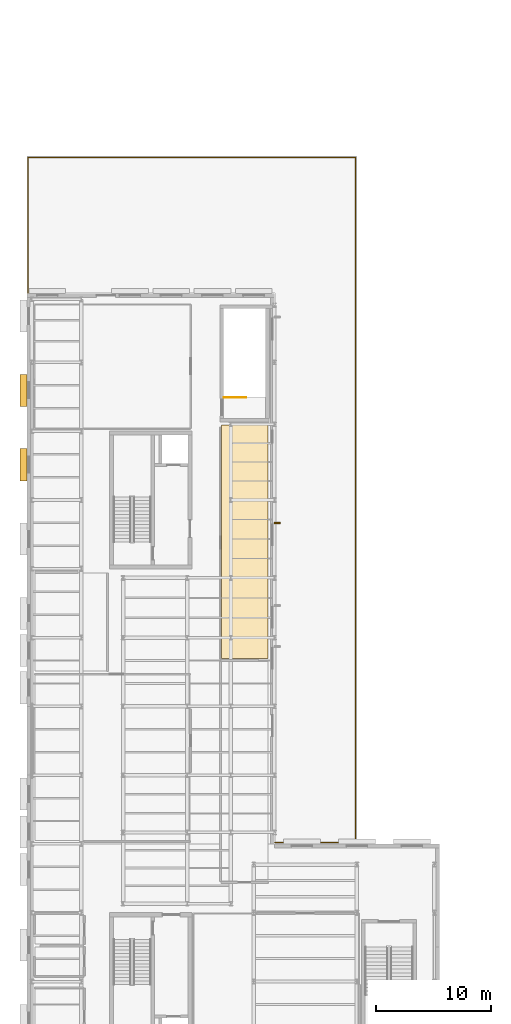
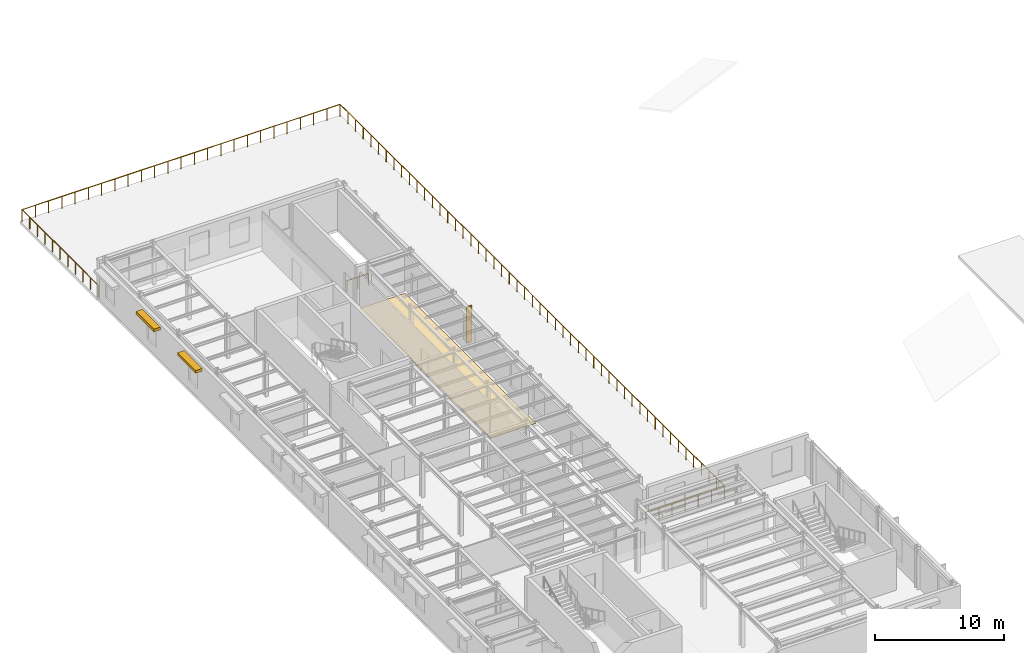
# One storey, part 11 of 13: 3 shading devices, 2 railings, 1 covering.
"""IFC4 building model written with IfcOpenShell, lengths in metres."""

from ifc_helpers import new_model, si_unit, direction, frame, origin, origin_2d, place, context, subcontext, project, spatial, polyline, rectangle, circle, outline, extrude, material, layer, layer_set, type_object, element, save


model = new_model("IFC4")

# Units and contexts
model_context = context("Model", 3, precision=1e-05, world=origin(), true_north=direction((0.0, 1.0)))
body_context = subcontext(model_context, "Body", "Model", "MODEL_VIEW")
ifc_project = project(units=[si_unit("LENGTHUNIT", "METRE"), si_unit("AREAUNIT", "SQUARE_METRE"), si_unit("VOLUMEUNIT", "CUBIC_METRE"), si_unit("PLANEANGLEUNIT", "RADIAN"), si_unit("MASSUNIT", "GRAM", prefix="KILO")], contexts=[model_context])

# Site, building, storey
site_placement = place(None, origin())
site = spatial("IfcSite", under=ifc_project, at=site_placement, CompositionType="ELEMENT")
building_placement = place(site_placement, origin())
building = spatial("IfcBuilding", under=site, at=building_placement, Name="Kolvaren Corner Interchange", CompositionType="ELEMENT")
storey_placement = place(building_placement, frame((0.0, 0.0, 14.699951171875)))
storey = spatial("IfcBuildingStorey", under=building, at=storey_placement, Name="L04", CompositionType="ELEMENT", Elevation=14.699951171875)

# Covering
ifc_material_1 = material(Name="Polished Niger Delta Granite Terrazzo Flooring", Category="masonry")
ifc_layer = layer(ifc_material_1, 0.030029296875)
ifc_layer_set = layer_set([ifc_layer], Name="Polished Niger Delta Granite Terrazzo Flooring")
covering_type = type_object("IfcCoveringType", Name="COV-FLR-TER30", PredefinedType="FLOORING", material=ifc_layer_set)
covering_placement = place(storey_placement, origin())
element("IfcCovering", 1, at=covering_placement, inside=storey, type_object=covering_type, Name="L04 Signalling Maintenance Workshop Lab Floor Finish", PredefinedType="FLOORING", context=body_context, shape_type="SweptSolid", body=[
    extrude(outline(polyline([(16.97998046875, 40.179931640625), (21.02001953125, 40.179931640625), (21.02001953125, 60.52001953125), (16.97998046875, 60.52001953125), (16.97998046875, 40.179931640625)])), origin(), (0.0, 0.0, 1.0), 0.030029296875),
])

# Railings
ifc_material_2 = material(Name="Powder-Coated Steel Stairwell Guardrail", Category="steel")
railing_type_1 = type_object("IfcRailingType", Name="RLT-STAIR-GRD1120", PredefinedType="GUARDRAIL", material=ifc_material_2)
railing_1_placement = place(storey_placement, frame((17.2099609375, 62.93994140625, 0.0)))
element("IfcRailing", 2, at=railing_1_placement, inside=storey, type_object=railing_type_1, Name="Operations North Wing Protected Exit Stair L04 Landing Edge Guardrail", PredefinedType="GUARDRAIL", context=body_context, shape_type="SweptSolid", body=[
    extrude(circle(Radius=0.02392578125, at=origin_2d()), frame((0.0, 0.0, 1.09619140625), z_axis=(1.0, 0.0, 0.0), x_axis=(0.0, 1.0, 0.0)), (0.0, 0.0, 1.0), 1.929931640625),
    extrude(circle(Radius=0.02001953125, at=origin_2d()), origin(), (0.0, 0.0, 1.0), 1.072021484375),
    extrude(circle(Radius=0.02001953125, at=origin_2d()), frame((0.96484375, 0.0, 0.0)), (0.0, 0.0, 1.0), 1.072021484375),
    extrude(circle(Radius=0.02001953125, at=origin_2d()), frame((1.929931640625, 0.0, 0.0)), (0.0, 0.0, 1.0), 1.072021484375),
])
ifc_material_3 = material(Name="Anodised Aluminium and Laminated Glass Balustrade", Category="aluminium")
railing_type_2 = type_object("IfcRailingType", Name="RLT-TERR-BAL1150", PredefinedType="BALUSTRADE", material=ifc_material_3)
railing_2_placement = place(storey_placement, frame((21.639892578125, 24.1201171875, 0.0)))
element("IfcRailing", 3, at=railing_2_placement, inside=storey, type_object=railing_type_2, Name="Level 04 Courtyard Roof Garden Perimeter Balustrade", PredefinedType="BALUSTRADE", context=body_context, shape_type="SweptSolid", body=[
    extrude(circle(Radius=0.02490234375, at=origin_2d()), frame((0.0, 0.0, 1.125), z_axis=(1.0, 0.0, 0.0), x_axis=(0.0, 1.0, 0.0)), (0.0, 0.0, 1.0), 7.0400390625),
    extrude(circle(Radius=0.02490234375, at=origin_2d()), frame((7.0400390625, 0.0, 1.125), z_axis=(0.0, 1.0, 0.0), x_axis=(-1.0, 0.0, 0.0)), (0.0, 0.0, 1.0), 59.759765625),
    extrude(circle(Radius=0.02490234375, at=origin_2d()), frame((7.0400390625, 59.759765625, 1.125), z_axis=(-1.0, 0.0, 0.0), x_axis=(0.0, -1.0, 0.0)), (0.0, 0.0, 1.0), 28.559814453125),
    extrude(circle(Radius=0.02490234375, at=origin_2d()), frame((-21.519775390625, 59.759765625, 1.125), z_axis=(0.0, -1.0, 0.0), x_axis=(1.0, 0.0, 0.0)), (0.0, 0.0, 1.0), 11.83984375),
    extrude(circle(Radius=0.02197265625, at=origin_2d()), origin(), (0.0, 0.0, 1.0), 1.099853515625),
    extrude(circle(Radius=0.02197265625, at=origin_2d()), frame((1.17333984375, 0.0, 0.0)), (0.0, 0.0, 1.0), 1.099853515625),
    extrude(circle(Radius=0.02197265625, at=origin_2d()), frame((2.3466796875, 0.0, 0.0)), (0.0, 0.0, 1.0), 1.099853515625),
    extrude(circle(Radius=0.02197265625, at=origin_2d()), frame((3.52001953125, 0.0, 0.0)), (0.0, 0.0, 1.0), 1.099853515625),
    extrude(circle(Radius=0.02197265625, at=origin_2d()), frame((4.693359375, 0.0, 0.0)), (0.0, 0.0, 1.0), 1.099853515625),
    extrude(circle(Radius=0.02197265625, at=origin_2d()), frame((5.86669921875, 0.0, 0.0)), (0.0, 0.0, 1.0), 1.099853515625),
    extrude(circle(Radius=0.02197265625, at=origin_2d()), frame((7.0400390625, 0.0, 0.0)), (0.0, 0.0, 1.0), 1.099853515625),
    extrude(circle(Radius=0.02197265625, at=origin_2d()), frame((7.0400390625, 1.1953125, 0.0)), (0.0, 0.0, 1.0), 1.099853515625),
    extrude(circle(Radius=0.02197265625, at=origin_2d()), frame((7.0400390625, 2.390380859375, 0.0)), (0.0, 0.0, 1.0), 1.099853515625),
    extrude(circle(Radius=0.02197265625, at=origin_2d()), frame((7.0400390625, 3.585693359375, 0.0)), (0.0, 0.0, 1.0), 1.099853515625),
    extrude(circle(Radius=0.02197265625, at=origin_2d()), frame((7.0400390625, 4.78076171875, 0.0)), (0.0, 0.0, 1.0), 1.099853515625),
    extrude(circle(Radius=0.02197265625, at=origin_2d()), frame((7.0400390625, 5.97607421875, 0.0)), (0.0, 0.0, 1.0), 1.099853515625),
    extrude(circle(Radius=0.02197265625, at=origin_2d()), frame((7.0400390625, 7.171142578125, 0.0)), (0.0, 0.0, 1.0), 1.099853515625),
    extrude(circle(Radius=0.02197265625, at=origin_2d()), frame((7.0400390625, 8.366455078125, 0.0)), (0.0, 0.0, 1.0), 1.099853515625),
    extrude(circle(Radius=0.02197265625, at=origin_2d()), frame((7.0400390625, 9.5615234375, 0.0)), (0.0, 0.0, 1.0), 1.099853515625),
    extrude(circle(Radius=0.02197265625, at=origin_2d()), frame((7.0400390625, 10.7568359375, 0.0)), (0.0, 0.0, 1.0), 1.099853515625),
    extrude(circle(Radius=0.02197265625, at=origin_2d()), frame((7.0400390625, 11.951904296875, 0.0)), (0.0, 0.0, 1.0), 1.099853515625),
    extrude(circle(Radius=0.02197265625, at=origin_2d()), frame((7.0400390625, 13.147216796875, 0.0)), (0.0, 0.0, 1.0), 1.099853515625),
    extrude(circle(Radius=0.02197265625, at=origin_2d()), frame((7.0400390625, 14.34228515625, 0.0)), (0.0, 0.0, 1.0), 1.099853515625),
    extrude(circle(Radius=0.02197265625, at=origin_2d()), frame((7.0400390625, 15.53759765625, 0.0)), (0.0, 0.0, 1.0), 1.099853515625),
    extrude(circle(Radius=0.02197265625, at=origin_2d()), frame((7.0400390625, 16.732666015625, 0.0)), (0.0, 0.0, 1.0), 1.099853515625),
    extrude(circle(Radius=0.02197265625, at=origin_2d()), frame((7.0400390625, 17.927978515625, 0.0)), (0.0, 0.0, 1.0), 1.099853515625),
    extrude(circle(Radius=0.02197265625, at=origin_2d()), frame((7.0400390625, 19.123046875, 0.0)), (0.0, 0.0, 1.0), 1.099853515625),
    extrude(circle(Radius=0.02197265625, at=origin_2d()), frame((7.0400390625, 20.318359375, 0.0)), (0.0, 0.0, 1.0), 1.099853515625),
    extrude(circle(Radius=0.02197265625, at=origin_2d()), frame((7.0400390625, 21.513427734375, 0.0)), (0.0, 0.0, 1.0), 1.099853515625),
    extrude(circle(Radius=0.02197265625, at=origin_2d()), frame((7.0400390625, 22.708740234375, 0.0)), (0.0, 0.0, 1.0), 1.099853515625),
    extrude(circle(Radius=0.02197265625, at=origin_2d()), frame((7.0400390625, 23.90380859375, 0.0)), (0.0, 0.0, 1.0), 1.099853515625),
    extrude(circle(Radius=0.02197265625, at=origin_2d()), frame((7.0400390625, 25.09912109375, 0.0)), (0.0, 0.0, 1.0), 1.099853515625),
    extrude(circle(Radius=0.02197265625, at=origin_2d()), frame((7.0400390625, 26.294189453125, 0.0)), (0.0, 0.0, 1.0), 1.099853515625),
    extrude(circle(Radius=0.02197265625, at=origin_2d()), frame((7.0400390625, 27.489501953125, 0.0)), (0.0, 0.0, 1.0), 1.099853515625),
    extrude(circle(Radius=0.02197265625, at=origin_2d()), frame((7.0400390625, 28.6845703125, 0.0)), (0.0, 0.0, 1.0), 1.099853515625),
    extrude(circle(Radius=0.02197265625, at=origin_2d()), frame((7.0400390625, 29.8798828125, 0.0)), (0.0, 0.0, 1.0), 1.099853515625),
    extrude(circle(Radius=0.02197265625, at=origin_2d()), frame((7.0400390625, 31.0751953125, 0.0)), (0.0, 0.0, 1.0), 1.099853515625),
    extrude(circle(Radius=0.02197265625, at=origin_2d()), frame((7.0400390625, 32.270263671875, 0.0)), (0.0, 0.0, 1.0), 1.099853515625),
    extrude(circle(Radius=0.02197265625, at=origin_2d()), frame((7.0400390625, 33.465576171875, 0.0)), (0.0, 0.0, 1.0), 1.099853515625),
    extrude(circle(Radius=0.02197265625, at=origin_2d()), frame((7.0400390625, 34.66064453125, 0.0)), (0.0, 0.0, 1.0), 1.099853515625),
    extrude(circle(Radius=0.02197265625, at=origin_2d()), frame((7.0400390625, 35.85595703125, 0.0)), (0.0, 0.0, 1.0), 1.099853515625),
    extrude(circle(Radius=0.02197265625, at=origin_2d()), frame((7.0400390625, 37.051025390625, 0.0)), (0.0, 0.0, 1.0), 1.099853515625),
    extrude(circle(Radius=0.02197265625, at=origin_2d()), frame((7.0400390625, 38.246337890625, 0.0)), (0.0, 0.0, 1.0), 1.099853515625),
    extrude(circle(Radius=0.02197265625, at=origin_2d()), frame((7.0400390625, 39.44140625, 0.0)), (0.0, 0.0, 1.0), 1.099853515625),
    extrude(circle(Radius=0.02197265625, at=origin_2d()), frame((7.0400390625, 40.63671875, 0.0)), (0.0, 0.0, 1.0), 1.099853515625),
    extrude(circle(Radius=0.02197265625, at=origin_2d()), frame((7.0400390625, 41.831787109375, 0.0)), (0.0, 0.0, 1.0), 1.099853515625),
    extrude(circle(Radius=0.02197265625, at=origin_2d()), frame((7.0400390625, 43.027099609375, 0.0)), (0.0, 0.0, 1.0), 1.099853515625),
    extrude(circle(Radius=0.02197265625, at=origin_2d()), frame((7.0400390625, 44.22216796875, 0.0)), (0.0, 0.0, 1.0), 1.099853515625),
    extrude(circle(Radius=0.02197265625, at=origin_2d()), frame((7.0400390625, 45.41748046875, 0.0)), (0.0, 0.0, 1.0), 1.099853515625),
    extrude(circle(Radius=0.02197265625, at=origin_2d()), frame((7.0400390625, 46.612548828125, 0.0)), (0.0, 0.0, 1.0), 1.099853515625),
    extrude(circle(Radius=0.02197265625, at=origin_2d()), frame((7.0400390625, 47.807861328125, 0.0)), (0.0, 0.0, 1.0), 1.099853515625),
    extrude(circle(Radius=0.02197265625, at=origin_2d()), frame((7.0400390625, 49.0029296875, 0.0)), (0.0, 0.0, 1.0), 1.099853515625),
    extrude(circle(Radius=0.02197265625, at=origin_2d()), frame((7.0400390625, 50.1982421875, 0.0)), (0.0, 0.0, 1.0), 1.099853515625),
    extrude(circle(Radius=0.02197265625, at=origin_2d()), frame((7.0400390625, 51.393310546875, 0.0)), (0.0, 0.0, 1.0), 1.099853515625),
    extrude(circle(Radius=0.02197265625, at=origin_2d()), frame((7.0400390625, 52.588623046875, 0.0)), (0.0, 0.0, 1.0), 1.099853515625),
    extrude(circle(Radius=0.02197265625, at=origin_2d()), frame((7.0400390625, 53.78369140625, 0.0)), (0.0, 0.0, 1.0), 1.099853515625),
    extrude(circle(Radius=0.02197265625, at=origin_2d()), frame((7.0400390625, 54.97900390625, 0.0)), (0.0, 0.0, 1.0), 1.099853515625),
    extrude(circle(Radius=0.02197265625, at=origin_2d()), frame((7.0400390625, 56.174072265625, 0.0)), (0.0, 0.0, 1.0), 1.099853515625),
    extrude(circle(Radius=0.02197265625, at=origin_2d()), frame((7.0400390625, 57.369384765625, 0.0)), (0.0, 0.0, 1.0), 1.099853515625),
    extrude(circle(Radius=0.02197265625, at=origin_2d()), frame((7.0400390625, 58.564453125, 0.0)), (0.0, 0.0, 1.0), 1.099853515625),
    extrude(circle(Radius=0.02197265625, at=origin_2d()), frame((7.0400390625, 59.759765625, 0.0)), (0.0, 0.0, 1.0), 1.099853515625),
    extrude(circle(Radius=0.02197265625, at=origin_2d()), frame((5.85009765625, 59.759765625, 0.0)), (0.0, 0.0, 1.0), 1.099853515625),
    extrude(circle(Radius=0.02197265625, at=origin_2d()), frame((4.66015625, 59.759765625, 0.0)), (0.0, 0.0, 1.0), 1.099853515625),
    extrude(circle(Radius=0.02197265625, at=origin_2d()), frame((3.469970703125, 59.759765625, 0.0)), (0.0, 0.0, 1.0), 1.099853515625),
    extrude(circle(Radius=0.02197265625, at=origin_2d()), frame((2.280029296875, 59.759765625, 0.0)), (0.0, 0.0, 1.0), 1.099853515625),
    extrude(circle(Radius=0.02197265625, at=origin_2d()), frame((1.090087890625, 59.759765625, 0.0)), (0.0, 0.0, 1.0), 1.099853515625),
    extrude(circle(Radius=0.02197265625, at=origin_2d()), frame((-0.099853515625, 59.759765625, 0.0)), (0.0, 0.0, 1.0), 1.099853515625),
    extrude(circle(Radius=0.02197265625, at=origin_2d()), frame((-1.289794921875, 59.759765625, 0.0)), (0.0, 0.0, 1.0), 1.099853515625),
    extrude(circle(Radius=0.02197265625, at=origin_2d()), frame((-2.47998046875, 59.759765625, 0.0)), (0.0, 0.0, 1.0), 1.099853515625),
    extrude(circle(Radius=0.02197265625, at=origin_2d()), frame((-3.669921875, 59.759765625, 0.0)), (0.0, 0.0, 1.0), 1.099853515625),
    extrude(circle(Radius=0.02197265625, at=origin_2d()), frame((-4.85986328125, 59.759765625, 0.0)), (0.0, 0.0, 1.0), 1.099853515625),
    extrude(circle(Radius=0.02197265625, at=origin_2d()), frame((-6.0498046875, 59.759765625, 0.0)), (0.0, 0.0, 1.0), 1.099853515625),
    extrude(circle(Radius=0.02197265625, at=origin_2d()), frame((-7.23974609375, 59.759765625, 0.0)), (0.0, 0.0, 1.0), 1.099853515625),
    extrude(circle(Radius=0.02197265625, at=origin_2d()), frame((-8.429931640625, 59.759765625, 0.0)), (0.0, 0.0, 1.0), 1.099853515625),
    extrude(circle(Radius=0.02197265625, at=origin_2d()), frame((-9.619873046875, 59.759765625, 0.0)), (0.0, 0.0, 1.0), 1.099853515625),
    extrude(circle(Radius=0.02197265625, at=origin_2d()), frame((-10.809814453125, 59.759765625, 0.0)), (0.0, 0.0, 1.0), 1.099853515625),
    extrude(circle(Radius=0.02197265625, at=origin_2d()), frame((-11.999755859375, 59.759765625, 0.0)), (0.0, 0.0, 1.0), 1.099853515625),
    extrude(circle(Radius=0.02197265625, at=origin_2d()), frame((-13.18994140625, 59.759765625, 0.0)), (0.0, 0.0, 1.0), 1.099853515625),
    extrude(circle(Radius=0.02197265625, at=origin_2d()), frame((-14.3798828125, 59.759765625, 0.0)), (0.0, 0.0, 1.0), 1.099853515625),
    extrude(circle(Radius=0.02197265625, at=origin_2d()), frame((-15.56982421875, 59.759765625, 0.0)), (0.0, 0.0, 1.0), 1.099853515625),
    extrude(circle(Radius=0.02197265625, at=origin_2d()), frame((-16.759765625, 59.759765625, 0.0)), (0.0, 0.0, 1.0), 1.099853515625),
    extrude(circle(Radius=0.02197265625, at=origin_2d()), frame((-17.94970703125, 59.759765625, 0.0)), (0.0, 0.0, 1.0), 1.099853515625),
    extrude(circle(Radius=0.02197265625, at=origin_2d()), frame((-19.139892578125, 59.759765625, 0.0)), (0.0, 0.0, 1.0), 1.099853515625),
    extrude(circle(Radius=0.02197265625, at=origin_2d()), frame((-20.329833984375, 59.759765625, 0.0)), (0.0, 0.0, 1.0), 1.099853515625),
    extrude(circle(Radius=0.02197265625, at=origin_2d()), frame((-21.519775390625, 59.759765625, 0.0)), (0.0, 0.0, 1.0), 1.099853515625),
    extrude(circle(Radius=0.02197265625, at=origin_2d()), frame((-21.519775390625, 58.57568359375, 0.0)), (0.0, 0.0, 1.0), 1.099853515625),
    extrude(circle(Radius=0.02197265625, at=origin_2d()), frame((-21.519775390625, 57.391845703125, 0.0)), (0.0, 0.0, 1.0), 1.099853515625),
    extrude(circle(Radius=0.02197265625, at=origin_2d()), frame((-21.519775390625, 56.207763671875, 0.0)), (0.0, 0.0, 1.0), 1.099853515625),
    extrude(circle(Radius=0.02197265625, at=origin_2d()), frame((-21.519775390625, 55.02392578125, 0.0)), (0.0, 0.0, 1.0), 1.099853515625),
    extrude(circle(Radius=0.02197265625, at=origin_2d()), frame((-21.519775390625, 53.83984375, 0.0)), (0.0, 0.0, 1.0), 1.099853515625),
    extrude(circle(Radius=0.02197265625, at=origin_2d()), frame((-21.519775390625, 52.65576171875, 0.0)), (0.0, 0.0, 1.0), 1.099853515625),
    extrude(circle(Radius=0.02197265625, at=origin_2d()), frame((-21.519775390625, 51.471923828125, 0.0)), (0.0, 0.0, 1.0), 1.099853515625),
    extrude(circle(Radius=0.02197265625, at=origin_2d()), frame((-21.519775390625, 50.287841796875, 0.0)), (0.0, 0.0, 1.0), 1.099853515625),
    extrude(circle(Radius=0.02197265625, at=origin_2d()), frame((-21.519775390625, 49.10400390625, 0.0)), (0.0, 0.0, 1.0), 1.099853515625),
    extrude(circle(Radius=0.02197265625, at=origin_2d()), frame((-21.519775390625, 47.919921875, 0.0)), (0.0, 0.0, 1.0), 1.099853515625),
])

# Shading devices
ifc_material_4 = material(Name="Cream Ceramic Baguette Brise-Soleil")
shading_device_type_1 = type_object("IfcShadingDeviceType", Name="SHD-BAG-H600", PredefinedType="JALOUSIE", material=ifc_material_4)
for number, where, z_axis, x_axis, name in (
    (4, (-0.2900390625, 63.555419921875, 2.93017578125), (0.0, 0.0, 1.0), (0.0, -1.0, 0.0), "L04 Ceramic Solar Shading 0106"),
    (5, (-0.2900390625, 57.07177734375, 2.93017578125), (0.0, 0.0, 1.0), (0.0, -1.0, 0.0), "L04 Ceramic Solar Shading 0107"),
):
    element("IfcShadingDevice", number, at=place(storey_placement, frame(where, z_axis=z_axis, x_axis=x_axis)), inside=storey, type_object=shading_device_type_1, Name=name, PredefinedType="JALOUSIE", context=body_context, shape_type="SweptSolid", body=[
        extrude(rectangle(XDim=2.800048828125, YDim=0.60009765625, at=origin_2d()), origin(), (0.0, 0.0, 1.0), 0.260009765625),
    ])
ifc_material_5 = material(Name="Vertical Terracotta Solar Fin", Category="masonry")
shading_device_type_2 = type_object("IfcShadingDeviceType", Name="SHD-FIN-V500", PredefinedType="USERDEFINED", material=ifc_material_5)
shading_device_placement = place(storey_placement, frame((21.840087890625, 51.99658203125, 0.295166015625), z_axis=(0.0, 0.0, 1.0), x_axis=(0.0, 1.0, 0.0)))
element("IfcShadingDevice", 6, at=shading_device_placement, inside=storey, type_object=shading_device_type_2, Name="L04 Ceramic Solar Shading 0098", ObjectType="SUNSHADE", PredefinedType="USERDEFINED", context=body_context, shape_type="SweptSolid", body=[
    extrude(rectangle(XDim=0.139892578125, YDim=0.5, at=origin_2d()), origin(), (0.0, 0.0, 1.0), 3.39990234375),
])

save(model, "model.ifc")
